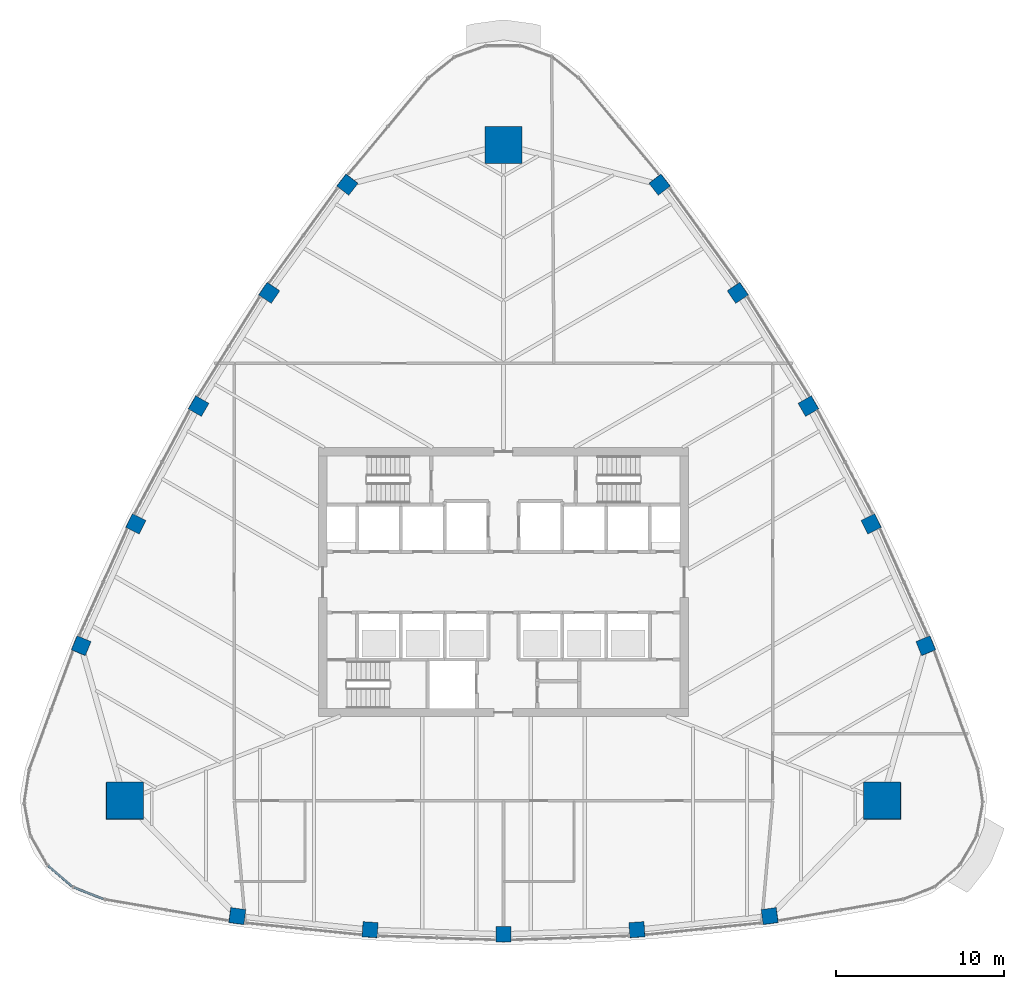
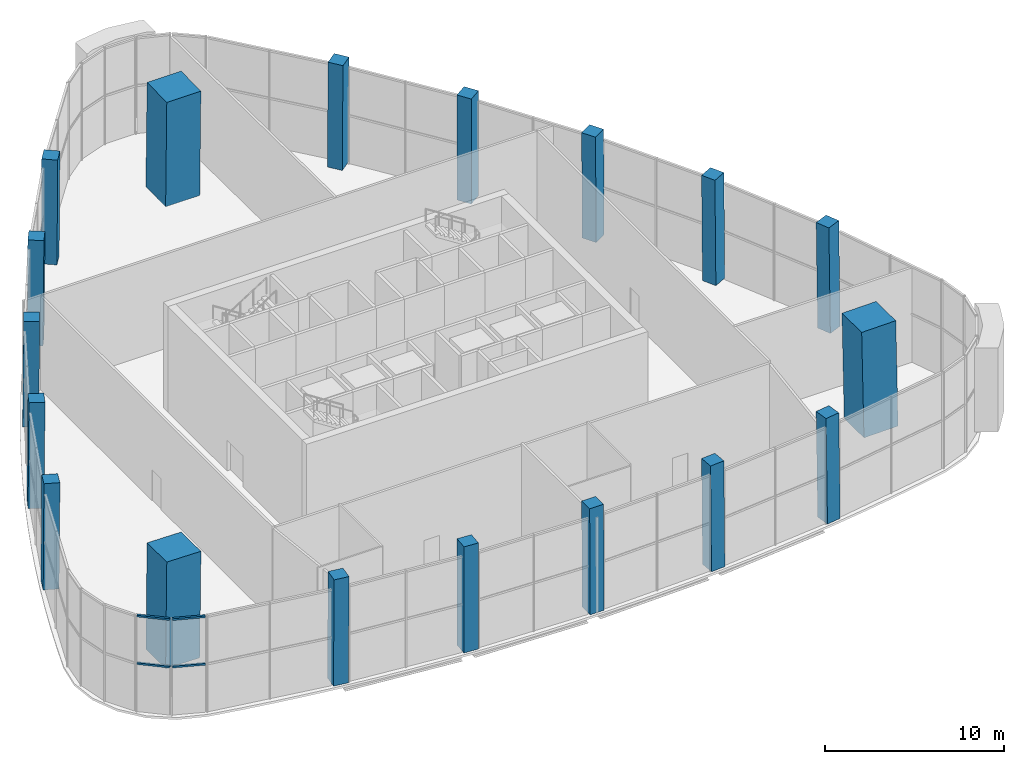
# One storey, part 1 of 15: 18 columns, 4 members, 2 elements without a shape of their own.
"""IFC4 building model written with IfcOpenShell, lengths in metres."""

from ifc_helpers import new_model, si_unit, direction, frame, origin, origin_2d, place, context, subcontext, project, spatial, rectangle, extrude, clip, halfspace, material, layer, layer_set, material_profile, profile_set, type_object, element, aggregate, save


model = new_model("IFC4")

# Units and contexts
model_context = context("Model", 3, precision=1e-05, world=origin(), true_north=direction((0.0, 1.0)))
body_context = subcontext(model_context, "Body", "Model", "MODEL_VIEW")
ifc_project = project(units=[si_unit("LENGTHUNIT", "METRE"), si_unit("AREAUNIT", "SQUARE_METRE"), si_unit("VOLUMEUNIT", "CUBIC_METRE"), si_unit("PLANEANGLEUNIT", "RADIAN"), si_unit("MASSUNIT", "GRAM", prefix="KILO")], contexts=[model_context])

# Site, building, storey
site_placement = place(None, origin())
site = spatial("IfcSite", under=ifc_project, at=site_placement, CompositionType="ELEMENT")
building_placement = place(site_placement, origin())
building = spatial("IfcBuilding", under=site, at=building_placement, Name="Sierra Prisma Convention Tower", CompositionType="ELEMENT")
storey_placement = place(building_placement, frame((0.0, 0.0, 219.800048828125)))
storey = spatial("IfcBuildingStorey", under=building, at=storey_placement, Name="L49", CompositionType="ELEMENT", Elevation=219.800048828125)

# Columns
ifc_material_1 = material(Name="Concrete C50/60", Category="concrete")
ifc_material_profile_1 = material_profile(ifc_material_1, rectangle(XDim=2.199951171875, YDim=2.199951171875, at=origin_2d()), Name="Mega column RC 2200 C50/60")
ifc_profile_set_1 = profile_set([ifc_material_profile_1], Name="Concrete C50/60")
column_type_1 = type_object("IfcColumnType", Name="Mega column RC 2200 C50/60", PredefinedType="COLUMN", material=ifc_profile_set_1)
column_1_placement = place(storey_placement, frame((22.515869140625, -12.99951171875, 0.0), z_axis=(-0.015527667253, 0.008950445753, 0.999839377635), x_axis=(0.999879438507, 0.000138996301, 0.015527045126)))
element("IfcColumn", 1, at=column_1_placement, inside=storey, type_object=column_type_1, Name="Mega column SE L49", PredefinedType="COLUMN", context=body_context, shape_type="SweptSolid", body=[
    clip(clip(extrude(rectangle(XDim=2.199951171875, YDim=2.199951171875, at=origin_2d()), origin(), (0.0, 0.0, 1.0), 7.201171875), halfspace(frame((0.0, 0.0, 0.0029296875)), True)), halfspace(frame((0.0, 0.0, 7.18994140625)), False)),
])
column_2_placement = place(storey_placement, frame((0.0, 25.9990234375, 0.0), z_axis=(0.0, -0.01790089846, 0.99983976608), x_axis=(1.0, 0.0, 0.0)))
element("IfcColumn", 2, at=column_2_placement, inside=storey, type_object=column_type_1, Name="Mega column N L49", PredefinedType="COLUMN", context=body_context, shape_type="SweptSolid", body=[
    clip(clip(extrude(rectangle(XDim=2.199951171875, YDim=2.199951171875, at=origin_2d()), origin(), (0.0, 0.0, 1.0), 7.201171875), halfspace(frame((0.0, 0.0, 0.002197265625)), True)), halfspace(frame((0.0, 0.0, 7.19287109375)), False)),
])
column_3_placement = place(storey_placement, frame((-22.515869140625, -12.99951171875, 0.0), z_axis=(0.015527667253, 0.008950445753, 0.999839377635), x_axis=(0.999879438507, -0.000138996301, -0.015527045126)))
element("IfcColumn", 3, at=column_3_placement, inside=storey, type_object=column_type_1, Name="Mega column SW L49", PredefinedType="COLUMN", context=body_context, shape_type="SweptSolid", body=[
    clip(clip(extrude(rectangle(XDim=2.199951171875, YDim=2.199951171875, at=origin_2d()), origin(), (0.0, 0.0, 1.0), 7.201171875), halfspace(frame((0.0, 0.0, 0.0029296875)), True)), halfspace(frame((0.0, 0.0, 7.18994140625)), False)),
])
ifc_material_2 = material(Name="Concrete C50/60", Category="concrete")
ifc_material_profile_2 = material_profile(ifc_material_2, rectangle(XDim=0.89990234375, YDim=0.89990234375, at=origin_2d()), Name="Perimeter column RC 900 C50/60")
ifc_profile_set_2 = profile_set([ifc_material_profile_2], Name="Concrete C50/60")
column_type_2 = type_object("IfcColumnType", Name="Perimeter column RC 900 C50/60", PredefinedType="COLUMN", material=ifc_profile_set_2)
column_4_placement = place(storey_placement, frame((-15.832275390625, -19.855224609375, 0.0), z_axis=(0.009731160111, 0.005764101808, 0.999936037781), x_axis=(-0.990706613393, 0.135727393239, 0.008858944803)))
element("IfcColumn", 4, at=column_4_placement, inside=storey, type_object=column_type_2, Name="Perimeter column S-1 L49", PredefinedType="COLUMN", context=body_context, shape_type="SweptSolid", body=[
    clip(clip(extrude(rectangle(XDim=0.89990234375, YDim=0.89990234375, at=origin_2d()), origin(), (0.0, 0.0, 1.0), 7.200439453125), halfspace(frame((0.0, 0.0, 0.0009765625)), True)), halfspace(frame((0.0, 0.0, 7.197265625)), False)),
])
column_5_placement = place(storey_placement, frame((-7.9345703125, -20.664306640625, 0.0), z_axis=(0.004882692374, 0.006238995811, 0.999968616631), x_axis=(-0.9976738103, 0.068023464771, 0.004447075758)))
element("IfcColumn", 5, at=column_5_placement, inside=storey, type_object=column_type_2, Name="Perimeter column S-2 L49", PredefinedType="COLUMN", context=body_context, shape_type="SweptSolid", body=[
    clip(clip(extrude(rectangle(XDim=0.89990234375, YDim=0.89990234375, at=origin_2d()), origin(), (0.0, 0.0, 1.0), 7.2001953125), halfspace(frame((0.0, 0.0, 0.000732421875)), True)), halfspace(frame((0.0, 0.0, 7.197998046875)), False)),
])
column_6_placement = place(storey_placement, frame((0.0, -20.934326171875, 0.0), z_axis=(0.0, 0.006340790097, 0.999979896988), x_axis=(1.0, 0.0, 0.0)))
element("IfcColumn", 6, at=column_6_placement, inside=storey, type_object=column_type_2, Name="Perimeter column S-3 L49", PredefinedType="COLUMN", context=body_context, shape_type="SweptSolid", body=[
    clip(clip(extrude(rectangle(XDim=0.89990234375, YDim=0.89990234375, at=origin_2d()), origin(), (0.0, 0.0, 1.0), 7.2001953125), halfspace(frame((0.0, 0.0, 0.00048828125)), True)), halfspace(frame((0.0, 0.0, 7.19873046875)), False)),
])
column_7_placement = place(storey_placement, frame((7.9345703125, -20.664306640625, 0.0), z_axis=(-0.004882692374, 0.006238995811, 0.999968616631), x_axis=(0.9976738103, 0.068023464771, 0.004447075758)))
element("IfcColumn", 7, at=column_7_placement, inside=storey, type_object=column_type_2, Name="Perimeter column S-4 L49", PredefinedType="COLUMN", context=body_context, shape_type="SweptSolid", body=[
    clip(clip(extrude(rectangle(XDim=0.89990234375, YDim=0.89990234375, at=origin_2d()), origin(), (0.0, 0.0, 1.0), 7.2001953125), halfspace(frame((0.0, 0.0, 0.000732421875)), True)), halfspace(frame((0.0, 0.0, 7.197998046875)), False)),
])
for number, where, z_axis, x_axis, name in (
    (8, (15.832275390625, -19.855224609375, 0.0), (-0.009731160111, 0.005764101808, 0.999936037781), (0.990706613393, 0.135727393239, 0.008858944803), "Perimeter column S-5 L49"),
    (9, (25.111328125, -3.78369140625, 0.0), (-0.009900687447, 0.005560660073, 0.999935525645), (-0.377861048249, 0.925819636439, -0.00888982559), "Perimeter column NE-1 L49"),
):
    element("IfcColumn", number, at=place(storey_placement, frame(where, z_axis=z_axis, x_axis=x_axis)), inside=storey, type_object=column_type_2, Name=name, PredefinedType="COLUMN", context=body_context, shape_type="SweptSolid", body=[
        clip(clip(extrude(rectangle(XDim=0.89990234375, YDim=0.89990234375, at=origin_2d()), origin(), (0.0, 0.0, 1.0), 7.200439453125), halfspace(frame((0.0, 0.0, 0.0009765625)), True)), halfspace(frame((0.0, 0.0, 7.197265625)), False)),
    ])
column_8_placement = place(storey_placement, frame((21.863037109375, 3.460693359375, 0.0), z_axis=(-0.007832652989, 0.001118950427, 0.999968698259), x_axis=(-0.439944481987, 0.898013943218, -0.004450904868)))
element("IfcColumn", 10, at=column_8_placement, inside=storey, type_object=column_type_2, Name="Perimeter column NE-2 L49", PredefinedType="COLUMN", context=body_context, shape_type="SweptSolid", body=[
    clip(clip(extrude(rectangle(XDim=0.89990234375, YDim=0.89990234375, at=origin_2d()), origin(), (0.0, 0.0, 1.0), 7.2001953125), halfspace(frame((0.0, 0.0, 0.000732421875)), True)), halfspace(frame((0.0, 0.0, 7.197998046875)), False)),
])
column_9_placement = place(storey_placement, frame((18.129638671875, 10.467041015625, 0.0), z_axis=(-0.005493091126, -0.003153441202, 0.999979940678), x_axis=(-0.499992456431, 0.866029758883, -1.5530513e-05)))
element("IfcColumn", 11, at=column_9_placement, inside=storey, type_object=column_type_2, Name="Perimeter column NE-3 L49", PredefinedType="COLUMN", context=body_context, shape_type="SweptSolid", body=[
    clip(clip(extrude(rectangle(XDim=0.89990234375, YDim=0.89990234375, at=origin_2d()), origin(), (0.0, 0.0, 1.0), 7.2001953125), halfspace(frame((0.0, 0.0, 0.00048828125)), True)), halfspace(frame((0.0, 0.0, 7.19873046875)), False)),
])
column_10_placement = place(storey_placement, frame((13.928466796875, 17.20361328125, 0.0), z_axis=(-0.002949960598, -0.007324040106, 0.999968827599), x_axis=(-0.557725298367, 0.830013754027, 0.004433924584)))
element("IfcColumn", 12, at=column_10_placement, inside=storey, type_object=column_type_2, Name="Perimeter column NE-4 L49", PredefinedType="COLUMN", context=body_context, shape_type="SweptSolid", body=[
    clip(clip(extrude(rectangle(XDim=0.89990234375, YDim=0.89990234375, at=origin_2d()), origin(), (0.0, 0.0, 1.0), 7.2001953125), halfspace(frame((0.0, 0.0, 0.000732421875)), True)), halfspace(frame((0.0, 0.0, 7.19775390625)), False)),
])
for number, where, z_axis, x_axis, name in (
    (13, (9.279052734375, 23.638916015625, 0.0), (-0.000135625849, -0.011358664864, 0.999935479088), (-0.612873949543, 0.790130653311, 0.008892281478), "Perimeter column NE-5 L49"),
    (14, (-9.279052734375, 23.638916015625, 0.0), (0.000135625849, -0.011358664864, 0.999935479088), (0.612873949543, 0.790130653311, 0.008892281478), "Perimeter column NW-1 L49"),
):
    element("IfcColumn", number, at=place(storey_placement, frame(where, z_axis=z_axis, x_axis=x_axis)), inside=storey, type_object=column_type_2, Name=name, PredefinedType="COLUMN", context=body_context, shape_type="SweptSolid", body=[
        clip(clip(extrude(rectangle(XDim=0.89990234375, YDim=0.89990234375, at=origin_2d()), origin(), (0.0, 0.0, 1.0), 7.200439453125), halfspace(frame((0.0, 0.0, 0.0009765625)), True)), halfspace(frame((0.0, 0.0, 7.197265625)), False)),
    ])
column_11_placement = place(storey_placement, frame((-13.928466796875, 17.20361328125, 0.0), z_axis=(0.002949960598, -0.007324040106, 0.999968827599), x_axis=(0.557725298367, 0.830013754027, 0.004433924584)))
element("IfcColumn", 15, at=column_11_placement, inside=storey, type_object=column_type_2, Name="Perimeter column NW-2 L49", PredefinedType="COLUMN", context=body_context, shape_type="SweptSolid", body=[
    clip(clip(extrude(rectangle(XDim=0.89990234375, YDim=0.89990234375, at=origin_2d()), origin(), (0.0, 0.0, 1.0), 7.2001953125), halfspace(frame((0.0, 0.0, 0.000732421875)), True)), halfspace(frame((0.0, 0.0, 7.19775390625)), False)),
])
column_12_placement = place(storey_placement, frame((-18.129638671875, 10.467041015625, 0.0), z_axis=(0.005493091126, -0.003153441202, 0.999979940678), x_axis=(0.499992456431, 0.866029758883, -1.5530513e-05)))
element("IfcColumn", 16, at=column_12_placement, inside=storey, type_object=column_type_2, Name="Perimeter column NW-3 L49", PredefinedType="COLUMN", context=body_context, shape_type="SweptSolid", body=[
    clip(clip(extrude(rectangle(XDim=0.89990234375, YDim=0.89990234375, at=origin_2d()), origin(), (0.0, 0.0, 1.0), 7.2001953125), halfspace(frame((0.0, 0.0, 0.00048828125)), True)), halfspace(frame((0.0, 0.0, 7.19873046875)), False)),
])
column_13_placement = place(storey_placement, frame((-21.863037109375, 3.460693359375, 0.0), z_axis=(0.007832652989, 0.001118950427, 0.999968698259), x_axis=(0.439944481987, 0.898013943218, -0.004450904868)))
element("IfcColumn", 17, at=column_13_placement, inside=storey, type_object=column_type_2, Name="Perimeter column NW-4 L49", PredefinedType="COLUMN", context=body_context, shape_type="SweptSolid", body=[
    clip(clip(extrude(rectangle(XDim=0.89990234375, YDim=0.89990234375, at=origin_2d()), origin(), (0.0, 0.0, 1.0), 7.2001953125), halfspace(frame((0.0, 0.0, 0.000732421875)), True)), halfspace(frame((0.0, 0.0, 7.197998046875)), False)),
])
column_14_placement = place(storey_placement, frame((-25.111328125, -3.78369140625, 0.0), z_axis=(0.009900687447, 0.005560660073, 0.999935525645), x_axis=(0.377861048249, 0.925819636439, -0.00888982559)))
element("IfcColumn", 18, at=column_14_placement, inside=storey, type_object=column_type_2, Name="Perimeter column NW-5 L49", PredefinedType="COLUMN", context=body_context, shape_type="SweptSolid", body=[
    clip(clip(extrude(rectangle(XDim=0.89990234375, YDim=0.89990234375, at=origin_2d()), origin(), (0.0, 0.0, 1.0), 7.200439453125), halfspace(frame((0.0, 0.0, 0.0009765625)), True)), halfspace(frame((0.0, 0.0, 7.197265625)), False)),
])

# Curtain wall, members
ifc_material_3 = material(Name="Aluminium and glass curtain wall", Category="aluminium")
ifc_layer = layer(ifc_material_3, 0.179931640625)
ifc_layer_set = layer_set([ifc_layer], Name="CW-4 Sky lobby double-height curtain wall")
curtain_wall_type = type_object("IfcCurtainWallType", Name="CW-4 Sky lobby double-height curtain wall", PredefinedType="NOTDEFINED", material=ifc_layer_set)
curtain_wall_1_placement = place(storey_placement, origin())
curtain_wall_1 = element("IfcCurtainWall", 19, at=curtain_wall_1_placement, inside=storey, type_object=curtain_wall_type, Name="CW-4 SW4 L49", PredefinedType="NOTDEFINED")
ifc_material_4 = material(Name="Aluminium 6063-T6 bronze anodised", Category="aluminium")
ifc_material_profile_3 = material_profile(ifc_material_4, rectangle(XDim=0.139892578125, YDim=0.1201171875, at=origin_2d()), Name="ALU TRANSOM 120x140")
ifc_profile_set_3 = profile_set([ifc_material_profile_3], Name="Aluminium 6063-T6 bronze anodised")
member_type = type_object("IfcMemberType", Name="CW transom bronze", PredefinedType="USERDEFINED", material=ifc_profile_set_3)
member_1_placement = place(storey_placement, frame((-27.065185546875, -16.86083984375, 6.5400390625), z_axis=(0.75833259999, -0.651867830002, 0.0), x_axis=(0.651867830002, 0.75833259999, 0.0)))
member_1 = element("IfcMember", 20, at=member_1_placement, type_object=member_type, Name="CW-4 transom SW4.1", ObjectType="TRANSOM", PredefinedType="USERDEFINED", context=body_context, shape_type="SweptSolid", body=[
    extrude(rectangle(XDim=0.139892578125, YDim=0.1201171875, at=origin_2d()), origin(), (0.0, 0.0, 1.0), 1.86669921875),
])
member_2_placement = place(storey_placement, frame((-27.065185546875, -16.86083984375, 3.300048828125), z_axis=(0.75833259999, -0.651867830002, 0.0), x_axis=(0.651867830002, 0.75833259999, 0.0)))
member_2 = element("IfcMember", 21, at=member_2_placement, type_object=member_type, Name="CW-4 transom SW4.1 mid", ObjectType="TRANSOM", PredefinedType="USERDEFINED", context=body_context, shape_type="SweptSolid", body=[
    extrude(rectangle(XDim=0.139892578125, YDim=0.1201171875, at=origin_2d()), origin(), (0.0, 0.0, 1.0), 1.86669921875),
])
aggregate(curtain_wall_1, [member_1, member_2])

curtain_wall_2_placement = place(storey_placement, origin())
curtain_wall_2 = element("IfcCurtainWall", 22, at=curtain_wall_2_placement, inside=storey, type_object=curtain_wall_type, Name="CW-4 SW5 L49", PredefinedType="NOTDEFINED")
member_3_placement = place(storey_placement, frame((-25.531494140625, -18.148681640625, 6.5400390625), z_axis=(0.931352729191, -0.364118241549, 0.0), x_axis=(0.364118241549, 0.931352729191, 0.0)))
member_3 = element("IfcMember", 23, at=member_3_placement, type_object=member_type, Name="CW-4 transom SW5.1", ObjectType="TRANSOM", PredefinedType="USERDEFINED", context=body_context, shape_type="SweptSolid", body=[
    extrude(rectangle(XDim=0.139892578125, YDim=0.1201171875, at=origin_2d()), origin(), (0.0, 0.0, 1.0), 1.86669921875),
])
member_4_placement = place(storey_placement, frame((-25.531494140625, -18.148681640625, 3.300048828125), z_axis=(0.931352729191, -0.364118241549, 0.0), x_axis=(0.364118241549, 0.931352729191, 0.0)))
member_4 = element("IfcMember", 24, at=member_4_placement, type_object=member_type, Name="CW-4 transom SW5.1 mid", ObjectType="TRANSOM", PredefinedType="USERDEFINED", context=body_context, shape_type="SweptSolid", body=[
    extrude(rectangle(XDim=0.139892578125, YDim=0.1201171875, at=origin_2d()), origin(), (0.0, 0.0, 1.0), 1.86669921875),
])
aggregate(curtain_wall_2, [member_3, member_4])

save(model, "model.ifc")
